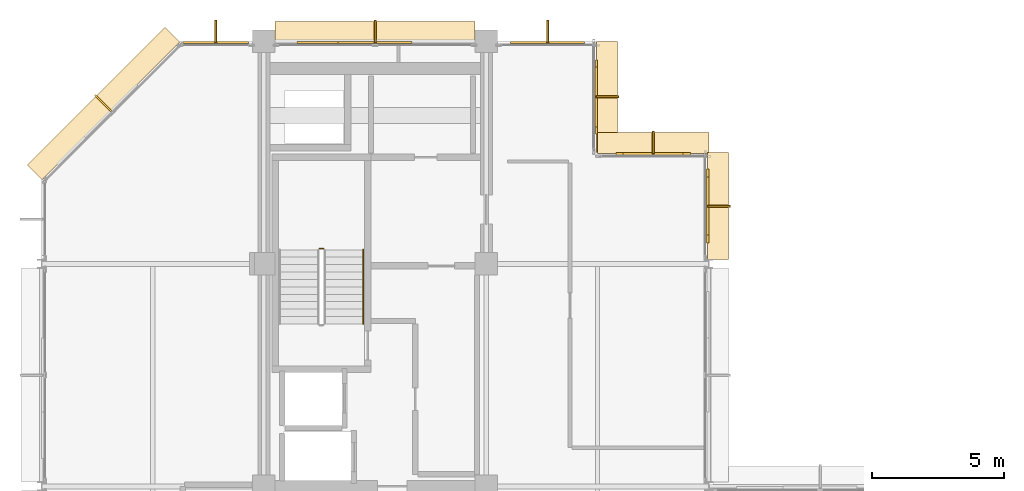
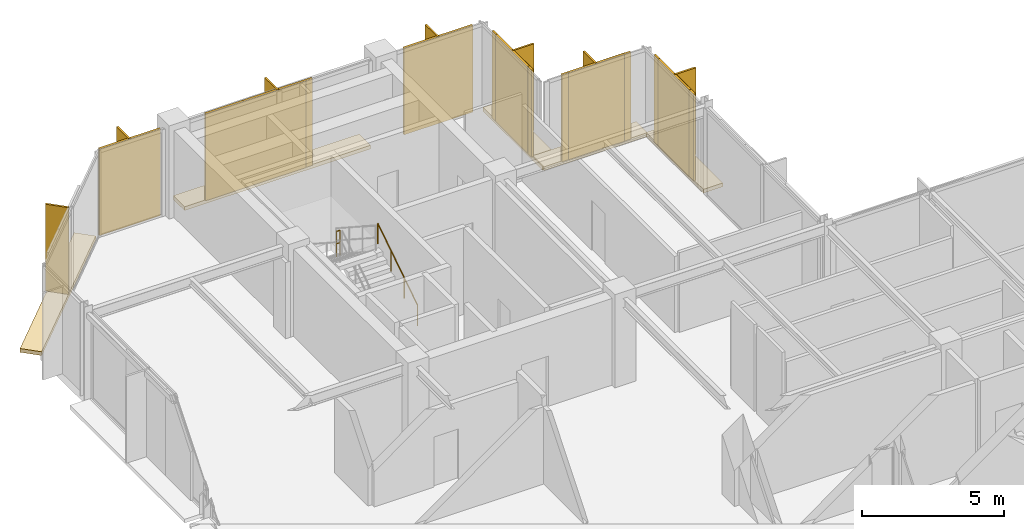
# One storey, part 23 of 23: 13 shading devices, 9 coverings, 2 railings.
"""IFC4 building model written with IfcOpenShell, lengths in metres."""

from ifc_helpers import new_model, si_unit, direction, frame, origin, origin_2d, place, context, subcontext, project, spatial, polyline, rectangle, circle, outline, extrude, material, layer, layer_set, type_object, element, save


model = new_model("IFC4")

# Units and contexts
model_context = context("Model", 3, precision=1e-05, world=origin(), true_north=direction((0.0, 1.0)))
body_context = subcontext(model_context, "Body", "Model", "MODEL_VIEW")
ifc_project = project(units=[si_unit("LENGTHUNIT", "METRE"), si_unit("AREAUNIT", "SQUARE_METRE"), si_unit("VOLUMEUNIT", "CUBIC_METRE"), si_unit("PLANEANGLEUNIT", "RADIAN"), si_unit("MASSUNIT", "GRAM", prefix="KILO")], contexts=[model_context])

# Site, building, storey
site_placement = place(None, origin())
site = spatial("IfcSite", under=ifc_project, at=site_placement, CompositionType="ELEMENT")
building_placement = place(site_placement, origin())
building = spatial("IfcBuilding", under=site, at=building_placement, Name="Nerrivon Quay Data Exchange", CompositionType="ELEMENT")
storey_placement = place(building_placement, frame((0.0, 0.0, 286.199951171875)))
storey = spatial("IfcBuildingStorey", under=building, at=storey_placement, Name="L68", CompositionType="ELEMENT", Elevation=286.199951171875)

# Coverings
ifc_material_1 = material(Name="Architectural terracotta ceramic", Category="masonry")
ifc_layer_1 = layer(ifc_material_1, 0.159912109375)
ifc_layer_set_1 = layer_set([ifc_layer_1], Name="Architectural terracotta ceramic")
covering_type_1 = type_object("IfcCoveringType", Name="COV-BLD-TERR", PredefinedType="CLADDING", material=ifc_layer_set_1)
covering_1_placement = place(storey_placement, frame((0.0, 0.0, -0.159912109375)))
element("IfcCovering", 1, at=covering_1_placement, inside=storey, type_object=covering_type_1, Name="L68 Horizontal Terracotta SOLAR SCREEN Blade", PredefinedType="CLADDING", context=body_context, shape_type="SweptSolid", body=[
    extrude(outline(polyline([(0.0283203125, 36.771728515625), (5.228271484375, 41.9716796875), (4.669677734375, 42.5302734375), (-0.5302734375, 37.330322265625), (0.0283203125, 36.771728515625)])), origin(), (0.0, 0.0, 1.0), 0.159912109375),
])
covering_2_placement = place(storey_placement, frame((0.0, 0.0, -0.159912109375)))
element("IfcCovering", 2, at=covering_2_placement, inside=storey, type_object=covering_type_1, Name="L68 Horizontal Terracotta SOLAR SCREEN Blade", PredefinedType="CLADDING", context=body_context, shape_type="SweptSolid", body=[
    extrude(outline(polyline([(8.824951171875, 41.9599609375), (16.375, 41.9599609375), (16.375, 42.75), (8.824951171875, 42.75), (8.824951171875, 41.9599609375)])), origin(), (0.0, 0.0, 1.0), 0.159912109375),
])
covering_3_placement = place(storey_placement, frame((0.0, 0.0, -0.159912109375)))
element("IfcCovering", 3, at=covering_3_placement, inside=storey, type_object=covering_type_1, Name="L68 Horizontal Terracotta SOLAR SCREEN Blade", PredefinedType="CLADDING", context=body_context, shape_type="SweptSolid", body=[
    extrude(outline(polyline([(20.9599609375, 42.0), (20.9599609375, 37.800048828125), (21.75, 37.800048828125), (21.75, 42.0), (20.9599609375, 42.0)])), origin(), (0.0, 0.0, 1.0), 0.159912109375),
])
covering_4_placement = place(storey_placement, frame((0.0, 0.0, -0.159912109375)))
element("IfcCovering", 4, at=covering_4_placement, inside=storey, type_object=covering_type_1, Name="L68 Horizontal Terracotta SOLAR SCREEN Blade", PredefinedType="CLADDING", context=body_context, shape_type="SweptSolid", body=[
    extrude(outline(polyline([(21.0, 37.760009765625), (25.199951171875, 37.760009765625), (25.199951171875, 38.550048828125), (21.0, 38.550048828125), (21.0, 37.760009765625)])), origin(), (0.0, 0.0, 1.0), 0.159912109375),
])
covering_5_placement = place(storey_placement, frame((0.0, 0.0, -0.159912109375)))
element("IfcCovering", 5, at=covering_5_placement, inside=storey, type_object=covering_type_1, Name="L68 Horizontal Terracotta SOLAR SCREEN Blade", PredefinedType="CLADDING", context=body_context, shape_type="SweptSolid", body=[
    extrude(outline(polyline([(25.159912109375, 37.800048828125), (25.159912109375, 33.763427734375), (25.949951171875, 33.763427734375), (25.949951171875, 37.800048828125), (25.159912109375, 37.800048828125)])), origin(), (0.0, 0.0, 1.0), 0.159912109375),
])
ifc_layer_2 = layer(ifc_material_1, 0.090087890625)
ifc_layer_set_2 = layer_set([ifc_layer_2], Name="Architectural terracotta ceramic")
covering_type_2 = type_object("IfcCoveringType", Name="COV-SCR-TERR", PredefinedType="CLADDING", material=ifc_layer_set_2)
covering_6_placement = place(storey_placement, frame((11.694091796875, 41.955078125, 0.0), z_axis=(0.0, 0.0, 1.0), x_axis=(1.0, 0.0, 0.0)))
element("IfcCovering", 6, at=covering_6_placement, inside=storey, type_object=covering_type_2, Name="L68 Perforated Terracotta SOLAR SCREEN Cassette", PredefinedType="CLADDING", context=body_context, shape_type="SweptSolid", body=[
    extrude(rectangle(XDim=4.076904296875, YDim=0.090087890625, at=origin_2d()), origin(), (0.0, 0.0, 1.0), 3.72509765625),
])
for number, where, z_axis, x_axis, name in (
    (7, (20.955078125, 39.89990234375, 0.0), (0.0, 0.0, 1.0), (0.0, -1.0, 0.0), "L68 Perforated Terracotta SOLAR SCREEN Cassette"),
    (8, (23.10009765625, 37.7548828125, 0.0), (0.0, 0.0, 1.0), (1.0, 0.0, 0.0), "L68 Perforated Terracotta SOLAR SCREEN Cassette"),
):
    element("IfcCovering", number, at=place(storey_placement, frame(where, z_axis=z_axis, x_axis=x_axis)), inside=storey, type_object=covering_type_2, Name=name, PredefinedType="CLADDING", context=body_context, shape_type="SweptSolid", body=[
        extrude(rectangle(XDim=2.26806640625, YDim=0.090087890625, at=origin_2d()), origin(), (0.0, 0.0, 1.0), 3.72509765625),
    ])
covering_7_placement = place(storey_placement, frame((25.155029296875, 35.78173828125, 0.0), z_axis=(0.0, 0.0, 1.0), x_axis=(0.0, -1.0, 0.0)))
element("IfcCovering", 9, at=covering_7_placement, inside=storey, type_object=covering_type_2, Name="L68 Perforated Terracotta SOLAR SCREEN Cassette", PredefinedType="CLADDING", context=body_context, shape_type="SweptSolid", body=[
    extrude(rectangle(XDim=2.179931640625, YDim=0.090087890625, at=origin_2d()), origin(), (0.0, 0.0, 1.0), 3.72509765625),
])

# Railings
ifc_material_2 = material(Name="Steel Grade C350L0 (350 MPa)", Category="steel")
railing_type_1 = type_object("IfcRailingType", Name="RAIL-HAND-HR1", PredefinedType="HANDRAIL", material=ifc_material_2)
railing_1_placement = place(storey_placement, frame((12.14990234375, 31.330078125, 0.181884765625)))
element("IfcRailing", 10, at=railing_1_placement, inside=storey, type_object=railing_type_1, Name="L68 ST01 stair handrail 1", PredefinedType="HANDRAIL", context=body_context, shape_type="SweptSolid", body=[
    extrude(circle(Radius=0.02392578125, at=origin_2d()), frame((0.0, 0.0, 0.8759765625), z_axis=(0.0, 0.83868413941, 0.544618136222), x_axis=(-1.0, 0.0, 0.0)), (0.0, 0.0, 1.0), 3.33837890625),
    extrude(circle(Radius=0.02099609375, at=origin_2d()), origin(), (0.0, 0.0, 1.0), 0.851806640625),
    extrude(circle(Radius=0.02099609375, at=origin_2d()), frame((0.0, 0.933349609375, 0.60595703125)), (0.0, 0.0, 1.0), 0.851806640625),
    extrude(circle(Radius=0.02099609375, at=origin_2d()), frame((0.0, 1.866455078125, 1.212158203125)), (0.0, 0.0, 1.0), 0.851806640625),
    extrude(circle(Radius=0.02099609375, at=origin_2d()), frame((0.0, 2.7998046875, 1.818115234375)), (0.0, 0.0, 1.0), 0.851806640625),
])
railing_type_2 = type_object("IfcRailingType", Name="RAIL-STAIR-GR1", PredefinedType="BALUSTRADE", material=ifc_material_2)
railing_2_placement = place(storey_placement, frame((10.64990234375, 34.179931640625, 2.0)))
element("IfcRailing", 11, at=railing_2_placement, inside=storey, type_object=railing_type_2, Name="L68 ST01 stair guard 2", PredefinedType="BALUSTRADE", context=body_context, shape_type="SweptSolid", body=[
    extrude(circle(Radius=0.02392578125, at=origin_2d()), frame((0.0, 0.0, 1.076171875), z_axis=(-1.0, 0.0, 0.0), x_axis=(0.0, -1.0, 0.0)), (0.0, 0.0, 1.0), 0.14990234375),
    extrude(circle(Radius=0.02392578125, at=origin_2d()), frame((0.0, 0.0, 0.550048828125), z_axis=(-1.0, 0.0, 0.0), x_axis=(0.0, -1.0, 0.0)), (0.0, 0.0, 1.0), 0.14990234375),
    extrude(circle(Radius=0.02099609375, at=origin_2d()), origin(), (0.0, 0.0, 1.0), 1.052001953125),
    extrude(circle(Radius=0.02099609375, at=origin_2d()), frame((-0.14990234375, 0.0, 0.0)), (0.0, 0.0, 1.0), 1.052001953125),
])

# Shading devices
ifc_layer_3 = layer(ifc_material_1, 0.074951171875)
ifc_layer_set_3 = layer_set([ifc_layer_3], Name="Architectural terracotta ceramic")
shading_device_type_1 = type_object("IfcShadingDeviceType", Name="SHD-FIN-SS02", PredefinedType="USERDEFINED", material=ifc_layer_set_3)
for number, where, z_axis, x_axis, name in (
    (12, (2.331298828125, 39.668701171875, 0.0), (0.0, 0.0, 1.0), (0.707106781187, 0.707106781187, 0.0), "L68 Subtropical Solar Fin Blade 15"),
    (13, (6.58740234375, 42.3798828125, 0.0), (0.0, 0.0, 1.0), (1.0, 0.0, 0.0), "L68 Subtropical Solar Fin Blade 16"),
    (14, (12.60009765625, 42.3798828125, 0.0), (0.0, 0.0, 1.0), (1.0, 0.0, 0.0), "L68 Subtropical Solar Fin Blade 17"),
    (15, (19.112548828125, 42.3798828125, 0.0), (0.0, 0.0, 1.0), (1.0, 0.0, 0.0), "L68 Subtropical Solar Fin Blade 18"),
    (16, (21.3798828125, 39.89990234375, 0.0), (0.0, 0.0, 1.0), (0.0, -1.0, 0.0), "L68 Subtropical Solar Fin Blade 19"),
    (17, (23.10009765625, 38.179931640625, 0.0), (0.0, 0.0, 1.0), (1.0, 0.0, 0.0), "L68 Subtropical Solar Fin Blade 20"),
    (18, (25.580078125, 35.78173828125, 0.0), (0.0, 0.0, 1.0), (0.0, -1.0, 0.0), "L68 Subtropical Solar Fin Blade 21"),
):
    element("IfcShadingDevice", number, at=place(storey_placement, frame(where, z_axis=z_axis, x_axis=x_axis)), inside=storey, type_object=shading_device_type_1, Name=name, ObjectType="FIN", PredefinedType="USERDEFINED", context=body_context, shape_type="SweptSolid", body=[
        extrude(rectangle(XDim=0.074951171875, YDim=0.85009765625, at=origin_2d()), origin(), (0.0, 0.0, 1.0), 3.72509765625),
    ])
ifc_layer_4 = layer(ifc_material_1, 0.0849609375)
ifc_layer_set_4 = layer_set([ifc_layer_4], Name="Architectural terracotta ceramic")
shading_device_type_2 = type_object("IfcShadingDeviceType", Name="SHD-SCR-SS01", PredefinedType="USERDEFINED", material=ifc_layer_set_4)
shading_device_placement = place(storey_placement, frame((6.58740234375, 41.9599609375, 0.0), z_axis=(0.0, 0.0, 1.0), x_axis=(1.0, 0.0, 0.0)))
element("IfcShadingDevice", 19, at=shading_device_placement, inside=storey, type_object=shading_device_type_2, Name="L68 Perforated Terracotta Solar Screen 16", ObjectType="SCREEN", PredefinedType="USERDEFINED", context=body_context, shape_type="SweptSolid", body=[
    extrude(rectangle(XDim=2.47509765625, YDim=0.0849609375, at=origin_2d()), origin(), (0.0, 0.0, 1.0), 3.72509765625),
])
for number, where, z_axis, x_axis, name in (
    (20, (12.60009765625, 41.9599609375, 0.0), (0.0, 0.0, 1.0), (1.0, 0.0, 0.0), "L68 Perforated Terracotta Solar Screen 17"),
    (21, (19.112548828125, 41.9599609375, 0.0), (0.0, 0.0, 1.0), (1.0, 0.0, 0.0), "L68 Perforated Terracotta Solar Screen 18"),
    (22, (20.9599609375, 39.89990234375, 0.0), (0.0, 0.0, 1.0), (0.0, -1.0, 0.0), "L68 Perforated Terracotta Solar Screen 19"),
    (23, (23.10009765625, 37.760009765625, 0.0), (0.0, 0.0, 1.0), (1.0, 0.0, 0.0), "L68 Perforated Terracotta Solar Screen 20"),
    (24, (25.159912109375, 35.78173828125, 0.0), (0.0, 0.0, 1.0), (0.0, -1.0, 0.0), "L68 Perforated Terracotta Solar Screen 21"),
):
    element("IfcShadingDevice", number, at=place(storey_placement, frame(where, z_axis=z_axis, x_axis=x_axis)), inside=storey, type_object=shading_device_type_2, Name=name, ObjectType="SCREEN", PredefinedType="USERDEFINED", context=body_context, shape_type="SweptSolid", body=[
        extrude(rectangle(XDim=2.800048828125, YDim=0.0849609375, at=origin_2d()), origin(), (0.0, 0.0, 1.0), 3.72509765625),
    ])

save(model, "model.ifc")
